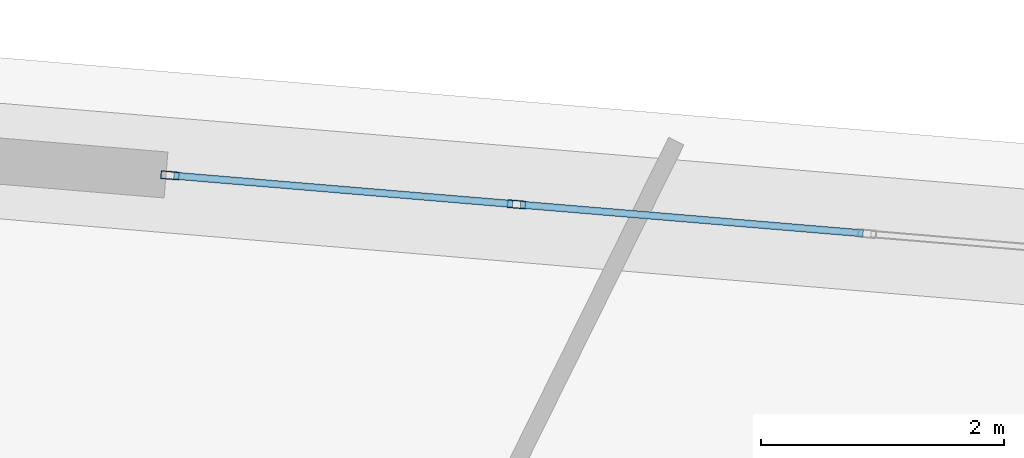
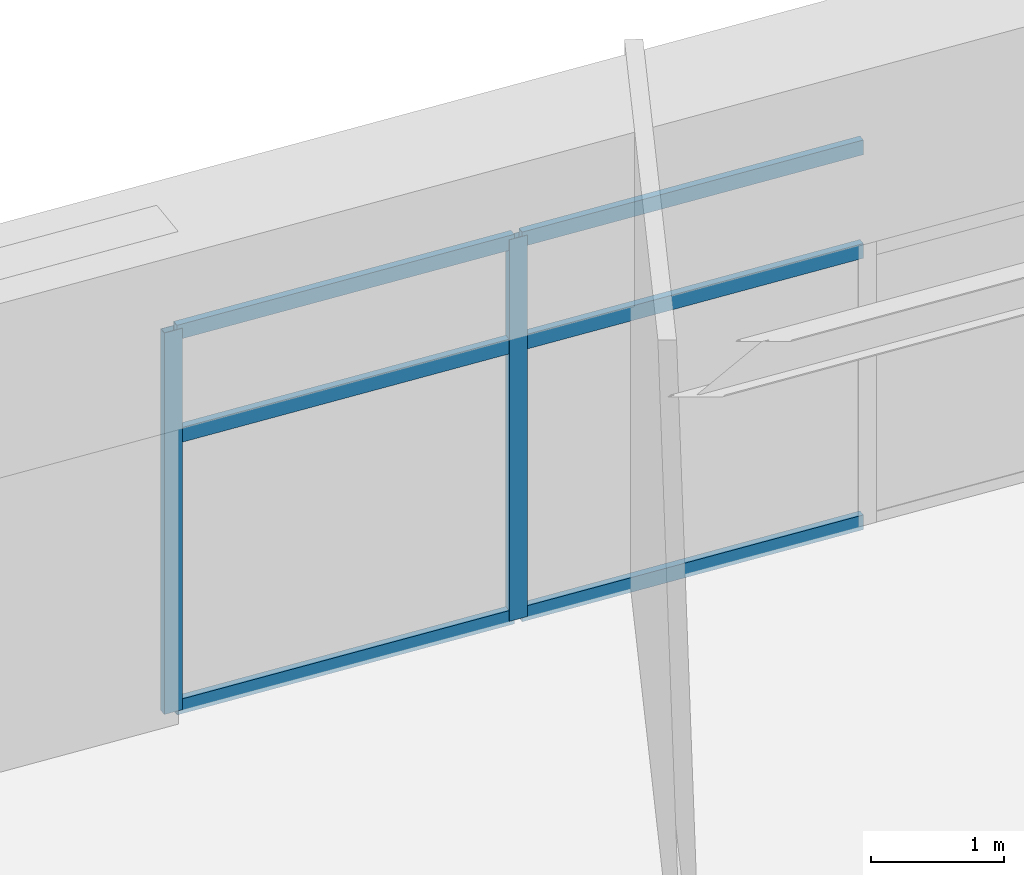
# One storey, part 29 of 40: 8 members, 1 element without a shape of its own.
"""IFC4 building model written with IfcOpenShell, lengths in metres."""

from ifc_helpers import new_model, si_unit, direction, frame, origin, origin_2d, place, context, subcontext, project, spatial, hollow_rectangle, extrude, source, transform, mapped, material, layer, layer_set, material_profile, profile_set, type_object, element, aggregate, save


model = new_model("IFC4")

# Units and contexts
model_context = context("Model", 3, precision=1e-05, world=origin(), true_north=direction((0.0, 1.0)))
body_context = subcontext(model_context, "Body", "Model", "MODEL_VIEW")
ifc_project = project(units=[si_unit("LENGTHUNIT", "METRE"), si_unit("AREAUNIT", "SQUARE_METRE"), si_unit("VOLUMEUNIT", "CUBIC_METRE"), si_unit("PLANEANGLEUNIT", "RADIAN"), si_unit("MASSUNIT", "GRAM", prefix="KILO")], contexts=[model_context])

# Site, building, storey
site_placement = place(None, origin())
site = spatial("IfcSite", under=ifc_project, at=site_placement, CompositionType="ELEMENT")
building_placement = place(site_placement, origin())
building = spatial("IfcBuilding", under=site, at=building_placement, Name="Liaohun Quay Tower", CompositionType="ELEMENT")
storey_placement = place(building_placement, frame((0.0, 0.0, 351.0)))
storey = spatial("IfcBuildingStorey", under=building, at=storey_placement, Name="L91", CompositionType="ELEMENT", Elevation=351.0)

# Curtain wall, members
ifc_material_1 = material(Name="Observation gallery panoramic triple-glazed curtain wall")
ifc_layer = layer(ifc_material_1, 0.219970703125, Name="Observation gallery panoramic triple-glazed curtain wall")
ifc_layer_set = layer_set([ifc_layer], Name="Observation gallery panoramic triple-glazed curtain wall")
curtain_wall_type = type_object("IfcCurtainWallType", Name="CW-OBS-CRN", PredefinedType="NOTDEFINED", material=ifc_layer_set)
curtain_wall_placement = place(storey_placement, origin())
curtain_wall = element("IfcCurtainWall", 1, at=curtain_wall_placement, inside=storey, type_object=curtain_wall_type, Name="L91 Panoramic Belvedere Curtain Wall 03", PredefinedType="NOTDEFINED")
ifc_material_2 = material(Name="Anodised aluminium 6063-T6", Category="aluminium")
ifc_material_profile_1 = material_profile(ifc_material_2, hollow_rectangle(XDim=0.06494140625, YDim=0.14990234375, WallThickness=0.00390625, at=origin_2d()), Name="RHS150x65x4")
ifc_profile_set_1 = profile_set([ifc_material_profile_1], Name="Anodised aluminium 6063-T6")
member_type_1 = type_object("IfcMemberType", Name="MEM-CWM-SKY", PredefinedType="MULLION", material=ifc_profile_set_1)
shared_shape_1 = source(origin(), body_context, "Body", "SweptSolid", [
    extrude(hollow_rectangle(XDim=0.06494140625, YDim=0.14990234375, WallThickness=0.00390625, at=origin_2d()), origin(), (0.0, 0.0, 1.0), 3.5),
])
member_1_placement = place(storey_placement, frame((70.1806640625, 74.34521484375, 0.0), z_axis=(0.0, 0.0, 1.0), x_axis=(-0.083366539138, -0.996518951226, 0.0)))
member_1 = element("IfcMember", 2, at=member_1_placement, type_object=member_type_1, Name="CW6 mullion 4", PredefinedType="MULLION", context=body_context, shape_type="MappedRepresentation", body=[
    mapped(shared_shape_1, transform((0.0, 0.0, 0.0), x_axis=(1.0, 0.0, 0.0), y_axis=(0.0, 1.0, 0.0), z_axis=(0.0, 0.0, 1.0), scale=1.0)),
])
member_2_placement = place(storey_placement, frame((67.323486328125, 74.584228515625, 0.0), z_axis=(0.0, 0.0, 1.0), x_axis=(-0.083366539138, -0.996518951226, 0.0)))
member_2 = element("IfcMember", 3, at=member_2_placement, type_object=member_type_1, Name="CW6 mullion 5", PredefinedType="MULLION", context=body_context, shape_type="MappedRepresentation", body=[
    mapped(shared_shape_1, transform((0.0, 0.0, 0.0), x_axis=(1.0, 0.0, 0.0), y_axis=(0.0, 1.0, 0.0), z_axis=(0.0, 0.0, 1.0), scale=1.0)),
])
ifc_material_profile_2 = material_profile(ifc_material_2, hollow_rectangle(XDim=0.06005859375, YDim=0.135009765625, WallThickness=0.00390625, at=origin_2d()), Name="RHS135x60x4")
ifc_profile_set_2 = profile_set([ifc_material_profile_2], Name="Anodised aluminium 6063-T6")
member_type_2 = type_object("IfcMemberType", Name="MEM-CWT-SKY", PredefinedType="USERDEFINED", material=ifc_profile_set_2)
shared_shape_2 = source(origin(), body_context, "Body", "SweptSolid", [
    extrude(hollow_rectangle(XDim=0.06005859375, YDim=0.135009765625, WallThickness=0.00390625, at=origin_2d()), origin(), (0.0, 0.0, 1.0), 2.834716796875),
])
member_3_placement = place(storey_placement, frame((73.0380859375, 74.106201171875, 0.030029296875), z_axis=(-0.99651897908, 0.083366206184, 0.0), x_axis=(-0.083366206184, -0.99651897908, 0.0)))
member_3 = element("IfcMember", 4, at=member_3_placement, type_object=member_type_2, Name="CW6 transom 3.1", ObjectType="TRANSOM", PredefinedType="USERDEFINED", context=body_context, shape_type="MappedRepresentation", body=[
    mapped(shared_shape_2, transform((0.0, 0.0, 0.0), x_axis=(1.0, 0.0, 0.0), y_axis=(0.0, 1.0, 0.0), z_axis=(0.0, 0.0, 1.0), scale=1.0)),
])
member_4_placement = place(storey_placement, frame((73.0380859375, 74.106201171875, 2.52001953125), z_axis=(-0.99651897908, 0.083366206184, 0.0), x_axis=(-0.083366206184, -0.99651897908, 0.0)))
member_4 = element("IfcMember", 5, at=member_4_placement, type_object=member_type_2, Name="CW6 transom 3.2", ObjectType="TRANSOM", PredefinedType="USERDEFINED", context=body_context, shape_type="MappedRepresentation", body=[
    mapped(shared_shape_2, transform((0.0, 0.0, 0.0), x_axis=(1.0, 0.0, 0.0), y_axis=(0.0, 1.0, 0.0), z_axis=(0.0, 0.0, 1.0), scale=1.0)),
])
member_5_placement = place(storey_placement, frame((73.0380859375, 74.106201171875, 3.469970703125), z_axis=(-0.99651897908, 0.083366206184, 0.0), x_axis=(-0.083366206184, -0.99651897908, 0.0)))
member_5 = element("IfcMember", 6, at=member_5_placement, type_object=member_type_2, Name="CW6 transom 3.3", ObjectType="TRANSOM", PredefinedType="USERDEFINED", context=body_context, shape_type="MappedRepresentation", body=[
    mapped(shared_shape_2, transform((0.0, 0.0, 0.0), x_axis=(1.0, 0.0, 0.0), y_axis=(0.0, 1.0, 0.0), z_axis=(0.0, 0.0, 1.0), scale=1.0)),
])
shared_shape_3 = source(origin(), body_context, "Body", "SweptSolid", [
    extrude(hollow_rectangle(XDim=0.06005859375, YDim=0.135009765625, WallThickness=0.00390625, at=origin_2d()), origin(), (0.0, 0.0, 1.0), 2.802490234375),
])
member_6_placement = place(storey_placement, frame((70.1484375, 74.347900390625, 0.030029296875), z_axis=(-0.996518669469, 0.083369907044, 0.0), x_axis=(-0.083369907044, -0.996518669469, 0.0)))
member_6 = element("IfcMember", 7, at=member_6_placement, type_object=member_type_2, Name="CW6 transom 4.1", ObjectType="TRANSOM", PredefinedType="USERDEFINED", context=body_context, shape_type="MappedRepresentation", body=[
    mapped(shared_shape_3, transform((0.0, 0.0, 0.0), x_axis=(1.0, 0.0, 0.0), y_axis=(0.0, 1.0, 0.0), z_axis=(0.0, 0.0, 1.0), scale=1.0)),
])
member_7_placement = place(storey_placement, frame((70.1484375, 74.347900390625, 2.52001953125), z_axis=(-0.996518669469, 0.083369907044, 0.0), x_axis=(-0.083369907044, -0.996518669469, 0.0)))
member_7 = element("IfcMember", 8, at=member_7_placement, type_object=member_type_2, Name="CW6 transom 4.2", ObjectType="TRANSOM", PredefinedType="USERDEFINED", context=body_context, shape_type="MappedRepresentation", body=[
    mapped(shared_shape_3, transform((0.0, 0.0, 0.0), x_axis=(1.0, 0.0, 0.0), y_axis=(0.0, 1.0, 0.0), z_axis=(0.0, 0.0, 1.0), scale=1.0)),
])
member_8_placement = place(storey_placement, frame((70.1484375, 74.347900390625, 3.469970703125), z_axis=(-0.996518669469, 0.083369907044, 0.0), x_axis=(-0.083369907044, -0.996518669469, 0.0)))
member_8 = element("IfcMember", 9, at=member_8_placement, type_object=member_type_2, Name="CW6 transom 4.3", ObjectType="TRANSOM", PredefinedType="USERDEFINED", context=body_context, shape_type="MappedRepresentation", body=[
    mapped(shared_shape_3, transform((0.0, 0.0, 0.0), x_axis=(1.0, 0.0, 0.0), y_axis=(0.0, 1.0, 0.0), z_axis=(0.0, 0.0, 1.0), scale=1.0)),
])
aggregate(curtain_wall, [member_1, member_2, member_3, member_4, member_5, member_6, member_7, member_8])

save(model, "model.ifc")
